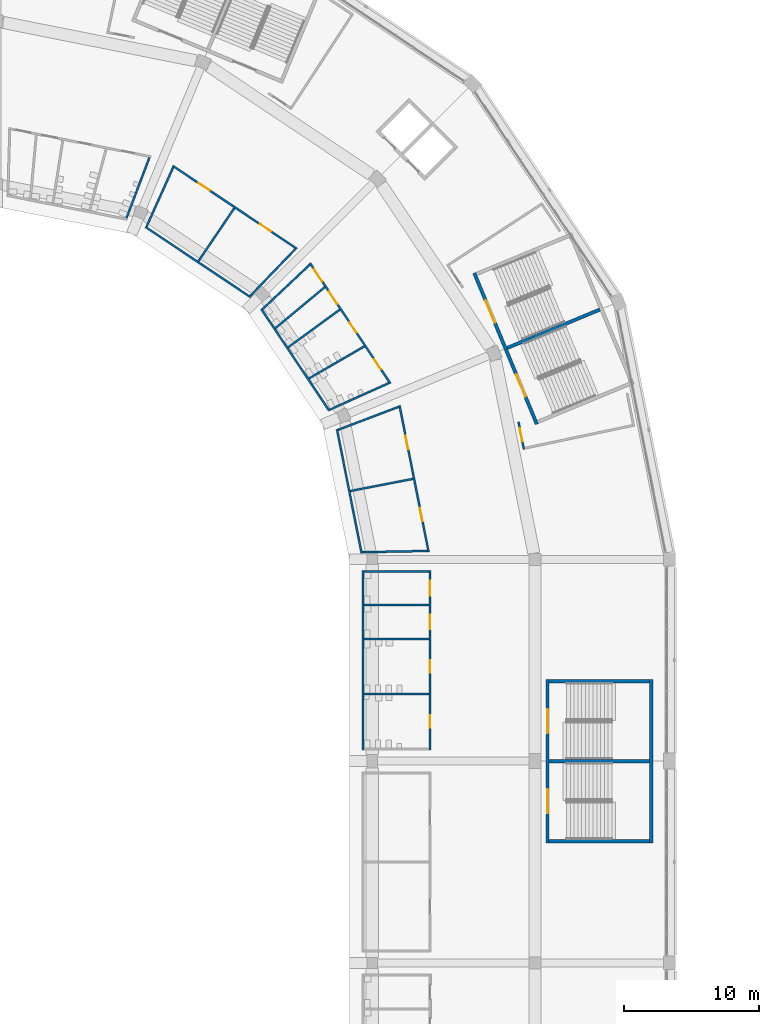
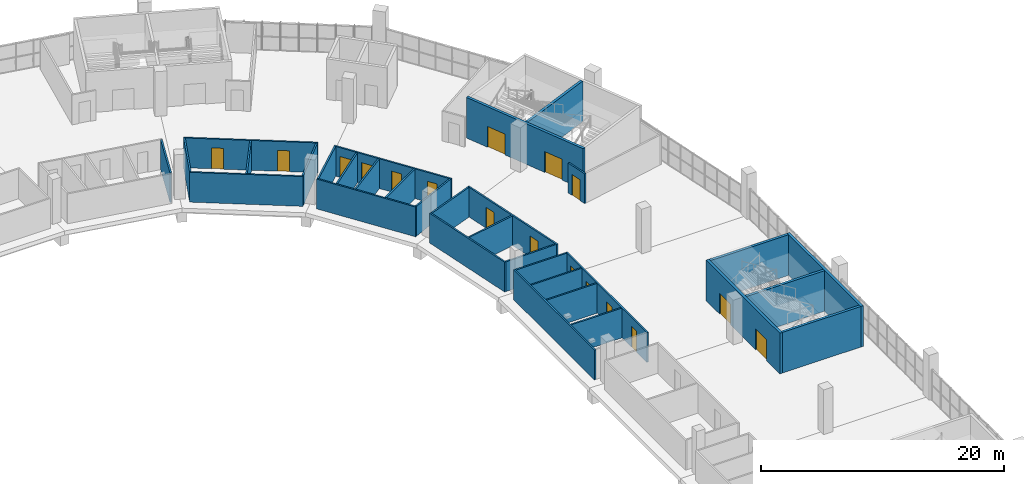
# One storey, part 89 of 199: 32 walls, 17 doors, 17 openings.
"""IFC4 building model written with IfcOpenShell, lengths in metres."""

from ifc_helpers import new_model, si_unit, direction, frame, frame_2d, origin, place, context, subcontext, project, spatial, rectangle, extrude, material, layer, layer_set, type_object, element, fill, save


model = new_model("IFC4")

# Units and contexts
model_context = context("Model", 3, precision=1e-05, world=origin(), true_north=direction((0.0, 1.0)))
body_context = subcontext(model_context, "Body", "Model", "MODEL_VIEW")
ifc_project = project(units=[si_unit("LENGTHUNIT", "METRE"), si_unit("AREAUNIT", "SQUARE_METRE"), si_unit("VOLUMEUNIT", "CUBIC_METRE"), si_unit("PLANEANGLEUNIT", "RADIAN"), si_unit("MASSUNIT", "GRAM", prefix="KILO")], contexts=[model_context])

# Site, building, storey
site_placement = place(None, origin())
site = spatial("IfcSite", under=ifc_project, at=site_placement, CompositionType="ELEMENT")
building_placement = place(site_placement, origin())
building = spatial("IfcBuilding", under=site, at=building_placement, Name="Ogive Plaza Stadium", CompositionType="ELEMENT")
storey_placement = place(building_placement, frame((0.0, 0.0, 4.5)))
storey = spatial("IfcBuildingStorey", under=building, at=storey_placement, Name="L01", CompositionType="ELEMENT", Elevation=4.5)

# Wall
ifc_material_1 = material(Name="Masonry blockwork", Category="masonry")
ifc_layer_1 = layer(ifc_material_1, 0.14990234375)
ifc_layer_set_1 = layer_set([ifc_layer_1], Name="Blockwork wall 150")
wall_type_1 = type_object("IfcWallType", Name="Blockwork wall 150", PredefinedType="SOLIDWALL", material=ifc_layer_set_1)
wall_1_placement = place(storey_placement, frame((45.037109375, 77.209716796875, 0.0), z_axis=(0.0, 0.0, 1.0), x_axis=(0.83146970134, -0.555570099766, 0.0)))
element("IfcWall", 1, at=wall_1_placement, inside=storey, type_object=wall_type_1, Name="Wall L01 B38", PredefinedType="SOLIDWALL", context=body_context, shape_type="SweptSolid", body=[
    extrude(rectangle(XDim=9.3876953125, YDim=0.14990234375, at=frame_2d((4.69384765625, 0.0))), origin(), (0.0, 0.0, 1.0), 3.0),
])

# Wall, openings, doors
wall_2_placement = place(storey_placement, frame((47.066162109375, 81.751953125, 0.0), z_axis=(0.0, 0.0, 1.0), x_axis=(0.83146852918, -0.555571854024, 0.0)))
wall_2 = element("IfcWall", 2, at=wall_2_placement, inside=storey, type_object=wall_type_1, Name="Wall L01 B38", PredefinedType="SOLIDWALL", context=body_context, shape_type="SweptSolid", body=[
    extrude(rectangle(XDim=11.113525390625, YDim=0.14990234375, at=frame_2d((5.556640625, 0.0))), origin(), (0.0, 0.0, 1.0), 3.0),
])
opening_1_placement = place(wall_2_placement, frame((2.319091796875, 0.0, 0.0)))
opening_1 = element("IfcOpeningElement", 3, at=opening_1_placement, cuts=wall_2, Name="Opening D0594", PredefinedType="OPENING", context=body_context, shape_type="SweptSolid", body=[
    extrude(rectangle(XDim=1.0, YDim=2.10009765625, at=frame_2d((0.5, 1.050048828125))), frame((0.0, 0.074951171875, 0.0), z_axis=(0.0, -1.0, 0.0), x_axis=(1.0, 0.0, 0.0)), (0.0, 0.0, 1.0), 0.14990234375),
])
opening_2_placement = place(wall_2_placement, frame((7.79443359375, 0.0, 0.0)))
opening_2 = element("IfcOpeningElement", 4, at=opening_2_placement, cuts=wall_2, Name="Opening D0595", PredefinedType="OPENING", context=body_context, shape_type="SweptSolid", body=[
    extrude(rectangle(XDim=1.0, YDim=2.10009765625, at=frame_2d((0.5, 1.050048828125))), frame((0.0, 0.074951171875, 0.0), z_axis=(0.0, -1.0, 0.0), x_axis=(1.0, 0.0, 0.0)), (0.0, 0.0, 1.0), 0.14990234375),
])
ifc_material_2 = material(Name="Steel ASTM A572 Grade 50", Category="steel")
door_type_1 = type_object("IfcDoorType", Name="Door 1000 x 2100", OperationType="SINGLE_SWING_LEFT", PredefinedType="DOOR", material=ifc_material_2)
door_1_placement = place(opening_1_placement, origin())
door_1 = element("IfcDoor", 5, at=door_1_placement, inside=storey, type_object=door_type_1, Name="Club Bar B38 door", OperationType="SINGLE_SWING_LEFT", OverallHeight=2.10009765625, OverallWidth=1.0, PredefinedType="DOOR", context=body_context, shape_type="SweptSolid", body=[
    extrude(rectangle(XDim=1.0, YDim=2.10009765625, at=frame_2d((0.5, 1.050048828125))), frame((0.0, 0.02490234375, 0.0), z_axis=(0.0, -1.0, 0.0), x_axis=(1.0, 0.0, 0.0)), (0.0, 0.0, 1.0), 0.050048828125),
])
fill(opening_1, door_1)
ifc_material_3 = material(Name="Steel ASTM A572 Grade 50", Category="steel")
door_type_2 = type_object("IfcDoorType", Name="Fire door FD60 1000 x 2100", OperationType="SINGLE_SWING_LEFT", PredefinedType="DOOR", material=ifc_material_3)
door_2_placement = place(opening_2_placement, origin())
door_2 = element("IfcDoor", 6, at=door_2_placement, inside=storey, type_object=door_type_2, Name="Club Kitchen B38 door", OperationType="SINGLE_SWING_RIGHT", OverallHeight=2.10009765625, OverallWidth=1.0, PredefinedType="DOOR", context=body_context, shape_type="SweptSolid", body=[
    extrude(rectangle(XDim=1.0, YDim=2.10009765625, at=frame_2d((0.5, 1.050048828125))), frame((0.0, 0.02490234375, 0.0), z_axis=(0.0, -1.0, 0.0), x_axis=(1.0, 0.0, 0.0)), (0.0, 0.0, 1.0), 0.050048828125),
])
fill(opening_2, door_2)

# Walls
wall_3_placement = place(storey_placement, frame((45.125, 77.23974609375, 0.0), z_axis=(0.0, 0.0, 1.0), x_axis=(0.410107887306, 0.912037017215, 0.0)))
element("IfcWall", 7, at=wall_3_placement, inside=storey, type_object=wall_type_1, Name="Wall L01 B38", PredefinedType="SOLIDWALL", context=body_context, shape_type="SweptSolid", body=[
    extrude(rectangle(XDim=4.8232421875, YDim=0.14990234375, at=frame_2d((2.41162109375, 0.0))), origin(), (0.0, 0.0, 1.0), 3.0),
])
wall_4_placement = place(storey_placement, frame((48.981201171875, 74.662841796875, 0.0), z_axis=(0.0, 0.0, 1.0), x_axis=(0.559983112244, 0.828504021717, 0.0)))
element("IfcWall", 8, at=wall_4_placement, inside=storey, type_object=wall_type_1, Name="Wall L01 B38", PredefinedType="SOLIDWALL", context=body_context, shape_type="SweptSolid", body=[
    extrude(rectangle(XDim=4.757080078125, YDim=0.14990234375, at=frame_2d((2.37841796875, 0.0))), origin(), (0.0, 0.0, 1.0), 3.0),
])
wall_5_placement = place(storey_placement, frame((52.83740234375, 72.086181640625, 0.0), z_axis=(0.0, 0.0, 1.0), x_axis=(0.693179391143, 0.720765101607, 0.0)))
element("IfcWall", 9, at=wall_5_placement, inside=storey, type_object=wall_type_1, Name="Wall L01 B38", PredefinedType="SOLIDWALL", context=body_context, shape_type="SweptSolid", body=[
    extrude(rectangle(XDim=4.832275390625, YDim=0.14990234375, at=frame_2d((2.416015625, 0.0))), origin(), (0.0, 0.0, 1.0), 3.0),
])
wall_6_placement = place(storey_placement, frame((59.27685546875, 62.16796875, 0.0), z_axis=(0.0, 0.0, 1.0), x_axis=(0.195100776204, -0.980783200878, 0.0)))
element("IfcWall", 10, at=wall_6_placement, inside=storey, type_object=wall_type_1, Name="Wall L01 B40", PredefinedType="SOLIDWALL", context=body_context, shape_type="SweptSolid", body=[
    extrude(rectangle(XDim=9.3876953125, YDim=0.14990234375, at=frame_2d((4.69384765625, 0.0))), origin(), (0.0, 0.0, 1.0), 3.0),
])

# Wall, openings, doors
wall_7_placement = place(storey_placement, frame((63.92333984375, 63.945068359375, 0.0), z_axis=(0.0, 0.0, 1.0), x_axis=(0.195102100298, -0.980782937484, 0.0)))
wall_7 = element("IfcWall", 11, at=wall_7_placement, inside=storey, type_object=wall_type_1, Name="Wall L01 B40", PredefinedType="SOLIDWALL", context=body_context, shape_type="SweptSolid", body=[
    extrude(rectangle(XDim=11.11328125, YDim=0.14990234375, at=frame_2d((5.556640625, 0.0))), origin(), (0.0, 0.0, 1.0), 3.0),
])
opening_3_placement = place(wall_7_placement, frame((2.319091796875, 0.0, 0.0)))
opening_3 = element("IfcOpeningElement", 12, at=opening_3_placement, cuts=wall_7, Name="Opening D0602", PredefinedType="OPENING", context=body_context, shape_type="SweptSolid", body=[
    extrude(rectangle(XDim=1.0, YDim=2.10009765625, at=frame_2d((0.5, 1.050048828125))), frame((0.0, 0.074951171875, 0.0), z_axis=(0.0, -1.0, 0.0), x_axis=(1.0, 0.0, 0.0)), (0.0, 0.0, 1.0), 0.14990234375),
])
opening_4_placement = place(wall_7_placement, frame((7.79443359375, 0.0, 0.0)))
opening_4 = element("IfcOpeningElement", 13, at=opening_4_placement, cuts=wall_7, Name="Opening D0603", PredefinedType="OPENING", context=body_context, shape_type="SweptSolid", body=[
    extrude(rectangle(XDim=1.0, YDim=2.10009765625, at=frame_2d((0.5, 1.050048828125))), frame((0.0, 0.074951171875, 0.0), z_axis=(0.0, -1.0, 0.0), x_axis=(1.0, 0.0, 0.0)), (0.0, 0.0, 1.0), 0.14990234375),
])
door_3_placement = place(opening_3_placement, origin())
door_3 = element("IfcDoor", 14, at=door_3_placement, inside=storey, type_object=door_type_1, Name="Club Bar B40 door", OperationType="SINGLE_SWING_LEFT", OverallHeight=2.10009765625, OverallWidth=1.0, PredefinedType="DOOR", context=body_context, shape_type="SweptSolid", body=[
    extrude(rectangle(XDim=1.0, YDim=2.10009765625, at=frame_2d((0.5, 1.050048828125))), frame((0.0, 0.02490234375, 0.0), z_axis=(0.0, -1.0, 0.0), x_axis=(1.0, 0.0, 0.0)), (0.0, 0.0, 1.0), 0.050048828125),
])
fill(opening_3, door_3)
door_4_placement = place(opening_4_placement, origin())
door_4 = element("IfcDoor", 15, at=door_4_placement, inside=storey, type_object=door_type_2, Name="Club Kitchen B40 door", OperationType="SINGLE_SWING_RIGHT", OverallHeight=2.10009765625, OverallWidth=1.0, PredefinedType="DOOR", context=body_context, shape_type="SweptSolid", body=[
    extrude(rectangle(XDim=1.0, YDim=2.10009765625, at=frame_2d((0.5, 1.050048828125))), frame((0.0, 0.02490234375, 0.0), z_axis=(0.0, -1.0, 0.0), x_axis=(1.0, 0.0, 0.0)), (0.0, 0.0, 1.0), 0.050048828125),
])
fill(opening_4, door_4)

# Walls
wall_8_placement = place(storey_placement, frame((59.360107421875, 62.126953125, 0.0), z_axis=(0.0, 0.0, 1.0), x_axis=(0.934900839957, 0.354909029819, 0.0)))
element("IfcWall", 16, at=wall_8_placement, inside=storey, type_object=wall_type_1, Name="Wall L01 B40", PredefinedType="SOLIDWALL", context=body_context, shape_type="SweptSolid", body=[
    extrude(rectangle(XDim=4.823486328125, YDim=0.14990234375, at=frame_2d((2.41162109375, 0.0))), origin(), (0.0, 0.0, 1.0), 3.0),
])
wall_9_placement = place(storey_placement, frame((60.264892578125, 57.578369140625, 0.0), z_axis=(0.0, 0.0, 1.0), x_axis=(0.981823683867, 0.189795294456, 0.0)))
element("IfcWall", 17, at=wall_9_placement, inside=storey, type_object=wall_type_1, Name="Wall L01 B40", PredefinedType="SOLIDWALL", context=body_context, shape_type="SweptSolid", body=[
    extrude(rectangle(XDim=4.7568359375, YDim=0.14990234375, at=frame_2d((2.37841796875, 0.0))), origin(), (0.0, 0.0, 1.0), 3.0),
])
wall_10_placement = place(storey_placement, frame((61.169677734375, 53.029541015625, 0.0), z_axis=(0.0, 0.0, 1.0), x_axis=(0.999810800275, 0.01945157199, 0.0)))
element("IfcWall", 18, at=wall_10_placement, inside=storey, type_object=wall_type_1, Name="Wall L01 B40", PredefinedType="SOLIDWALL", context=body_context, shape_type="SweptSolid", body=[
    extrude(rectangle(XDim=4.832275390625, YDim=0.14990234375, at=frame_2d((2.416015625, 0.0))), origin(), (0.0, 0.0, 1.0), 3.0),
])

# Wall, opening, door
wall_11_placement = place(storey_placement, frame((72.767578125, 62.71728515625, 0.0), z_axis=(0.0, 0.0, 1.0), x_axis=(0.195168143279, -0.980769797582, 0.0)))
wall_11 = element("IfcWall", 19, at=wall_11_placement, inside=storey, type_object=wall_type_1, Name="Wall L01 B40", PredefinedType="SOLIDWALL", context=body_context, shape_type="SweptSolid", body=[
    extrude(rectangle(XDim=2.080322265625, YDim=0.14990234375, at=frame_2d((1.0400390625, 0.0))), origin(), (0.0, 0.0, 1.0), 3.0),
])
opening_5_placement = place(wall_11_placement, frame((0.47216796875, 0.0, 0.0)))
opening_5 = element("IfcOpeningElement", 20, at=opening_5_placement, cuts=wall_11, Name="Opening D0604", PredefinedType="OPENING", context=body_context, shape_type="SweptSolid", body=[
    extrude(rectangle(XDim=1.0, YDim=2.10009765625, at=frame_2d((0.5, 1.050048828125))), frame((0.0, 0.074951171875, 0.0), z_axis=(0.0, -1.0, 0.0), x_axis=(1.0, 0.0, 0.0)), (0.0, 0.0, 1.0), 0.14990234375),
])
door_5_placement = place(opening_5_placement, origin())
door_5 = element("IfcDoor", 21, at=door_5_placement, inside=storey, type_object=door_type_2, Name="Cleaner's Store B40 door", OperationType="SINGLE_SWING_RIGHT", OverallHeight=2.10009765625, OverallWidth=1.0, PredefinedType="DOOR", context=body_context, shape_type="SweptSolid", body=[
    extrude(rectangle(XDim=1.0, YDim=2.10009765625, at=frame_2d((0.5, 1.050048828125))), frame((0.0, 0.02490234375, 0.0), z_axis=(0.0, -1.0, 0.0), x_axis=(1.0, 0.0, 0.0)), (0.0, 0.0, 1.0), 0.050048828125),
])
fill(opening_5, door_5)

# Wall, openings, doors
ifc_material_4 = material(Name="Concrete C40/50", Category="concrete")
ifc_layer_2 = layer(ifc_material_4, 0.25)
ifc_layer_set_2 = layer_set([ifc_layer_2], Name="Concrete C40/50")
wall_type_2 = type_object("IfcWallType", Name="Core wall 250", PredefinedType="SHEAR", material=ifc_layer_set_2)
wall_12_placement = place(storey_placement, frame((74.925048828125, 31.425048828125, 0.0), z_axis=(0.0, 0.0, 1.0), x_axis=(0.0, 1.0, 0.0)))
wall_12 = element("IfcWall", 22, at=wall_12_placement, inside=storey, type_object=wall_type_2, Name="Stair core R02 inner wall", PredefinedType="SHEAR", context=body_context, shape_type="SweptSolid", body=[
    extrude(rectangle(XDim=12.14990234375, YDim=0.25, at=frame_2d((6.074951171875, 0.0))), origin(), (0.0, 0.0, 1.0), 4.090087890625),
])
opening_6_placement = place(wall_12_placement, frame((2.199951171875, 0.0, 0.0)))
opening_6 = element("IfcOpeningElement", 23, at=opening_6_placement, cuts=wall_12, Name="Opening D0045", PredefinedType="OPENING", context=body_context, shape_type="SweptSolid", body=[
    extrude(rectangle(XDim=1.800048828125, YDim=2.10009765625, at=frame_2d((0.89990234375, 1.050048828125))), frame((0.0, 0.125, 0.0), z_axis=(0.0, -1.0, 0.0), x_axis=(1.0, 0.0, 0.0)), (0.0, 0.0, 1.0), 0.25),
])
opening_7_placement = place(wall_12_placement, frame((8.14990234375, 0.0, 0.0)))
opening_7 = element("IfcOpeningElement", 24, at=opening_7_placement, cuts=wall_12, Name="Opening D0046", PredefinedType="OPENING", context=body_context, shape_type="SweptSolid", body=[
    extrude(rectangle(XDim=1.800048828125, YDim=2.10009765625, at=frame_2d((0.89990234375, 1.050048828125))), frame((0.0, 0.125, 0.0), z_axis=(0.0, -1.0, 0.0), x_axis=(1.0, 0.0, 0.0)), (0.0, 0.0, 1.0), 0.25),
])
ifc_material_5 = material(Name="Steel ASTM A572 Grade 50", Category="steel")
door_type_3 = type_object("IfcDoorType", Name="Fire door FD90 pair 1800 x 2100", OperationType="DOUBLE_DOOR_SINGLE_SWING", PredefinedType="DOOR", material=ifc_material_5)
door_6_placement = place(opening_6_placement, origin())
door_6 = element("IfcDoor", 25, at=door_6_placement, inside=storey, type_object=door_type_3, Name="Exit stair R02A door L01", OperationType="DOUBLE_DOOR_SINGLE_SWING", OverallHeight=2.10009765625, OverallWidth=1.800048828125, PredefinedType="DOOR", context=body_context, shape_type="SweptSolid", body=[
    extrude(rectangle(XDim=1.800048828125, YDim=2.10009765625, at=frame_2d((0.89990234375, 1.050048828125))), frame((0.0, 0.02490234375, 0.0), z_axis=(0.0, -1.0, 0.0), x_axis=(1.0, 0.0, 0.0)), (0.0, 0.0, 1.0), 0.050048828125),
])
fill(opening_6, door_6)
door_7_placement = place(opening_7_placement, origin())
door_7 = element("IfcDoor", 26, at=door_7_placement, inside=storey, type_object=door_type_3, Name="Exit stair R02B door L01", OperationType="DOUBLE_DOOR_SINGLE_SWING", OverallHeight=2.10009765625, OverallWidth=1.800048828125, PredefinedType="DOOR", context=body_context, shape_type="SweptSolid", body=[
    extrude(rectangle(XDim=1.800048828125, YDim=2.10009765625, at=frame_2d((0.89990234375, 1.050048828125))), frame((0.0, 0.02490234375, 0.0), z_axis=(0.0, -1.0, 0.0), x_axis=(1.0, 0.0, 0.0)), (0.0, 0.0, 1.0), 0.050048828125),
])
fill(opening_7, door_7)

# Walls
wall_13_placement = place(storey_placement, frame((82.635009765625, 31.425048828125, 0.0), z_axis=(0.0, 0.0, 1.0), x_axis=(0.0, 1.0, 0.0)))
element("IfcWall", 27, at=wall_13_placement, inside=storey, type_object=wall_type_2, Name="Stair core R02 outer wall", PredefinedType="SHEAR", context=body_context, shape_type="SweptSolid", body=[
    extrude(rectangle(XDim=12.14990234375, YDim=0.25, at=frame_2d((6.074951171875, 0.0))), origin(), (0.0, 0.0, 1.0), 4.090087890625),
])
for number, where, z_axis, x_axis, name in (
    (28, (75.050048828125, 31.550048828125, 0.0), (0.0, 0.0, 1.0), (1.0, 0.0, 0.0), "Stair core R02 side wall"),
    (29, (75.050048828125, 43.449951171875, 0.0), (0.0, 0.0, 1.0), (1.0, 0.0, 0.0), "Stair core R02 side wall"),
    (30, (75.050048828125, 37.5, 0.0), (0.0, 0.0, 1.0), (1.0, 0.0, 0.0), "Stair core R02 centre wall"),
):
    element("IfcWall", number, at=place(storey_placement, frame(where, z_axis=z_axis, x_axis=x_axis)), inside=storey, type_object=wall_type_2, Name=name, PredefinedType="SHEAR", context=body_context, shape_type="SweptSolid", body=[
        extrude(rectangle(XDim=7.4599609375, YDim=0.25, at=frame_2d((3.72998046875, 0.0))), origin(), (0.0, 0.0, 1.0), 4.090087890625),
    ])

# Wall, openings, doors
wall_14_placement = place(storey_placement, frame((74.134521484375, 62.548828125, 0.0), z_axis=(0.0, 0.0, 1.0), x_axis=(-0.382688386133, 0.923877480578, 0.0)))
wall_14 = element("IfcWall", 31, at=wall_14_placement, inside=storey, type_object=wall_type_2, Name="Stair core R40 inner wall", PredefinedType="SHEAR", context=body_context, shape_type="SweptSolid", body=[
    extrude(rectangle(XDim=12.14990234375, YDim=0.25, at=frame_2d((6.074951171875, 0.0))), origin(), (0.0, 0.0, 1.0), 4.090087890625),
])
opening_8_placement = place(wall_14_placement, frame((2.199951171875, 0.0, 0.0)))
opening_8 = element("IfcOpeningElement", 32, at=opening_8_placement, cuts=wall_14, Name="Opening D0287", PredefinedType="OPENING", context=body_context, shape_type="SweptSolid", body=[
    extrude(rectangle(XDim=1.800048828125, YDim=2.10009765625, at=frame_2d((0.89990234375, 1.050048828125))), frame((0.0, 0.125, 0.0), z_axis=(0.0, -1.0, 0.0), x_axis=(1.0, 0.0, 0.0)), (0.0, 0.0, 1.0), 0.25),
])
opening_9_placement = place(wall_14_placement, frame((8.14990234375, 0.0, 0.0)))
opening_9 = element("IfcOpeningElement", 33, at=opening_9_placement, cuts=wall_14, Name="Opening D0288", PredefinedType="OPENING", context=body_context, shape_type="SweptSolid", body=[
    extrude(rectangle(XDim=1.800048828125, YDim=2.10009765625, at=frame_2d((0.89990234375, 1.050048828125))), frame((0.0, 0.125, 0.0), z_axis=(0.0, -1.0, 0.0), x_axis=(1.0, 0.0, 0.0)), (0.0, 0.0, 1.0), 0.25),
])
door_8_placement = place(opening_8_placement, origin())
door_8 = element("IfcDoor", 34, at=door_8_placement, inside=storey, type_object=door_type_3, Name="Exit stair R40A door L01", OperationType="DOUBLE_DOOR_SINGLE_SWING", OverallHeight=2.10009765625, OverallWidth=1.800048828125, PredefinedType="DOOR", context=body_context, shape_type="SweptSolid", body=[
    extrude(rectangle(XDim=1.800048828125, YDim=2.10009765625, at=frame_2d((0.89990234375, 1.050048828125))), frame((0.0, 0.02490234375, 0.0), z_axis=(0.0, -1.0, 0.0), x_axis=(1.0, 0.0, 0.0)), (0.0, 0.0, 1.0), 0.050048828125),
])
fill(opening_8, door_8)
door_9_placement = place(opening_9_placement, origin())
door_9 = element("IfcDoor", 35, at=door_9_placement, inside=storey, type_object=door_type_3, Name="Exit stair R40B door L01", OperationType="DOUBLE_DOOR_SINGLE_SWING", OverallHeight=2.10009765625, OverallWidth=1.800048828125, PredefinedType="DOOR", context=body_context, shape_type="SweptSolid", body=[
    extrude(rectangle(XDim=1.800048828125, YDim=2.10009765625, at=frame_2d((0.89990234375, 1.050048828125))), frame((0.0, 0.02490234375, 0.0), z_axis=(0.0, -1.0, 0.0), x_axis=(1.0, 0.0, 0.0)), (0.0, 0.0, 1.0), 0.050048828125),
])
fill(opening_9, door_9)

# Walls
wall_15_placement = place(storey_placement, frame((71.92529296875, 68.209228515625, 0.0), z_axis=(0.0, 0.0, 1.0), x_axis=(0.923882412044, 0.382676480483, 0.0)))
element("IfcWall", 36, at=wall_15_placement, inside=storey, type_object=wall_type_2, Name="Stair core R40 centre wall", PredefinedType="SHEAR", context=body_context, shape_type="SweptSolid", body=[
    extrude(rectangle(XDim=7.4599609375, YDim=0.25, at=frame_2d((3.72998046875, 0.0))), origin(), (0.0, 0.0, 1.0), 4.090087890625),
])
ifc_material_6 = material(Name="Gypsum board partition", Category="gypsum")
ifc_layer_3 = layer(ifc_material_6, 0.14990234375)
ifc_layer_set_3 = layer_set([ifc_layer_3], Name="Partition 150")
wall_type_3 = type_object("IfcWallType", Name="Partition 150", PredefinedType="PARTITIONING", material=ifc_layer_set_3)
wall_16_placement = place(storey_placement, frame((61.199951171875, 38.324951171875, 0.0), z_axis=(0.0, 0.0, 1.0), x_axis=(0.0, 1.0, 0.0)))
element("IfcWall", 37, at=wall_16_placement, inside=storey, type_object=wall_type_3, Name="Wall L01 B01", PredefinedType="PARTITIONING", context=body_context, shape_type="SweptSolid", body=[
    extrude(rectangle(XDim=13.35009765625, YDim=0.14990234375, at=frame_2d((6.675048828125, 0.0))), origin(), (0.0, 0.0, 1.0), 3.0),
])

# Wall, openings, doors
wall_17_placement = place(storey_placement, frame((66.199951171875, 38.324951171875, 0.0), z_axis=(0.0, 0.0, 1.0), x_axis=(0.0, 1.0, 0.0)))
wall_17 = element("IfcWall", 38, at=wall_17_placement, inside=storey, type_object=wall_type_3, Name="Wall L01 B01", PredefinedType="PARTITIONING", context=body_context, shape_type="SweptSolid", body=[
    extrude(rectangle(XDim=13.35009765625, YDim=0.14990234375, at=frame_2d((6.675048828125, 0.0))), origin(), (0.0, 0.0, 1.0), 3.0),
])
opening_10_placement = place(wall_17_placement, frame((1.6708984375, 0.0, 0.0)))
opening_10 = element("IfcOpeningElement", 39, at=opening_10_placement, cuts=wall_17, Name="Opening D0469", PredefinedType="OPENING", context=body_context, shape_type="SweptSolid", body=[
    extrude(rectangle(XDim=0.89990234375, YDim=2.10009765625, at=frame_2d((0.449951171875, 1.050048828125))), frame((0.0, 0.074951171875, 0.0), z_axis=(0.0, -1.0, 0.0), x_axis=(1.0, 0.0, 0.0)), (0.0, 0.0, 1.0), 0.14990234375),
])
opening_11_placement = place(wall_17_placement, frame((5.762939453125, 0.0, 0.0)))
opening_11 = element("IfcOpeningElement", 40, at=opening_11_placement, cuts=wall_17, Name="Opening D0470", PredefinedType="OPENING", context=body_context, shape_type="SweptSolid", body=[
    extrude(rectangle(XDim=0.89990234375, YDim=2.10009765625, at=frame_2d((0.449951171875, 1.050048828125))), frame((0.0, 0.074951171875, 0.0), z_axis=(0.0, -1.0, 0.0), x_axis=(1.0, 0.0, 0.0)), (0.0, 0.0, 1.0), 0.14990234375),
])
opening_12_placement = place(wall_17_placement, frame((8.962890625, 0.0, 0.0)))
opening_12 = element("IfcOpeningElement", 41, at=opening_12_placement, cuts=wall_17, Name="Opening D0471", PredefinedType="OPENING", context=body_context, shape_type="SweptSolid", body=[
    extrude(rectangle(XDim=1.10009765625, YDim=2.10009765625, at=frame_2d((0.550048828125, 1.050048828125))), frame((0.0, 0.074951171875, 0.0), z_axis=(0.0, -1.0, 0.0), x_axis=(1.0, 0.0, 0.0)), (0.0, 0.0, 1.0), 0.14990234375),
])
opening_13_placement = place(wall_17_placement, frame((11.470947265625, 0.0, 0.0)))
opening_13 = element("IfcOpeningElement", 42, at=opening_13_placement, cuts=wall_17, Name="Opening D0472", PredefinedType="OPENING", context=body_context, shape_type="SweptSolid", body=[
    extrude(rectangle(XDim=1.10009765625, YDim=2.10009765625, at=frame_2d((0.550048828125, 1.050048828125))), frame((0.0, 0.074951171875, 0.0), z_axis=(0.0, -1.0, 0.0), x_axis=(1.0, 0.0, 0.0)), (0.0, 0.0, 1.0), 0.14990234375),
])
ifc_material_7 = material(Name="Steel ASTM A572 Grade 50", Category="steel")
door_type_4 = type_object("IfcDoorType", Name="Accessible door 1100 x 2100", OperationType="SINGLE_SWING_LEFT", PredefinedType="DOOR", material=ifc_material_7)
door_10_placement = place(opening_12_placement, origin())
door_10 = element("IfcDoor", 43, at=door_10_placement, inside=storey, type_object=door_type_4, Name="Accessible WC B01 door", OperationType="SINGLE_SWING_LEFT", OverallHeight=2.10009765625, OverallWidth=1.10009765625, PredefinedType="DOOR", context=body_context, shape_type="SweptSolid", body=[
    extrude(rectangle(XDim=1.10009765625, YDim=2.10009765625, at=frame_2d((0.550048828125, 1.050048828125))), frame((0.0, 0.02490234375, 0.0), z_axis=(0.0, -1.0, 0.0), x_axis=(1.0, 0.0, 0.0)), (0.0, 0.0, 1.0), 0.050048828125),
])
fill(opening_12, door_10)
door_11_placement = place(opening_13_placement, origin())
door_11 = element("IfcDoor", 44, at=door_11_placement, inside=storey, type_object=door_type_4, Name="Family WC B01 door", OperationType="SINGLE_SWING_RIGHT", OverallHeight=2.10009765625, OverallWidth=1.10009765625, PredefinedType="DOOR", context=body_context, shape_type="SweptSolid", body=[
    extrude(rectangle(XDim=1.10009765625, YDim=2.10009765625, at=frame_2d((0.550048828125, 1.050048828125))), frame((0.0, 0.02490234375, 0.0), z_axis=(0.0, -1.0, 0.0), x_axis=(1.0, 0.0, 0.0)), (0.0, 0.0, 1.0), 0.050048828125),
])
fill(opening_13, door_11)
ifc_material_8 = material(Name="Steel ASTM A572 Grade 50", Category="steel")
door_type_5 = type_object("IfcDoorType", Name="Door 900 x 2100", OperationType="SINGLE_SWING_LEFT", PredefinedType="DOOR", material=ifc_material_8)
door_12_placement = place(opening_10_placement, origin())
door_12 = element("IfcDoor", 45, at=door_12_placement, inside=storey, type_object=door_type_5, Name="Men's Toilet B01 door", OperationType="SINGLE_SWING_LEFT", OverallHeight=2.10009765625, OverallWidth=0.89990234375, PredefinedType="DOOR", context=body_context, shape_type="SweptSolid", body=[
    extrude(rectangle(XDim=0.89990234375, YDim=2.10009765625, at=frame_2d((0.449951171875, 1.050048828125))), frame((0.0, 0.02490234375, 0.0), z_axis=(0.0, -1.0, 0.0), x_axis=(1.0, 0.0, 0.0)), (0.0, 0.0, 1.0), 0.050048828125),
])
fill(opening_10, door_12)
door_13_placement = place(opening_11_placement, origin())
door_13 = element("IfcDoor", 46, at=door_13_placement, inside=storey, type_object=door_type_5, Name="Women's Toilet B01 door", OperationType="SINGLE_SWING_RIGHT", OverallHeight=2.10009765625, OverallWidth=0.89990234375, PredefinedType="DOOR", context=body_context, shape_type="SweptSolid", body=[
    extrude(rectangle(XDim=0.89990234375, YDim=2.10009765625, at=frame_2d((0.449951171875, 1.050048828125))), frame((0.0, 0.02490234375, 0.0), z_axis=(0.0, -1.0, 0.0), x_axis=(1.0, 0.0, 0.0)), (0.0, 0.0, 1.0), 0.050048828125),
])
fill(opening_11, door_13)

# Walls
for number, where, z_axis, x_axis, name in (
    (47, (61.27490234375, 42.491943359375, 0.0), (0.0, 0.0, 1.0), (1.0, 0.0, 0.0), "Wall L01 B01"),
    (48, (61.27490234375, 46.583984375, 0.0), (0.0, 0.0, 1.0), (1.0, 0.0, 0.0), "Wall L01 B01"),
    (49, (61.27490234375, 49.092041015625, 0.0), (0.0, 0.0, 1.0), (1.0, 0.0, 0.0), "Wall L01 B01"),
    (50, (61.27490234375, 51.60009765625, 0.0), (0.0, 0.0, 1.0), (1.0, 0.0, 0.0), "Wall L01 B01"),
):
    element("IfcWall", number, at=place(storey_placement, frame(where, z_axis=z_axis, x_axis=x_axis)), inside=storey, type_object=wall_type_3, Name=name, PredefinedType="PARTITIONING", context=body_context, shape_type="SweptSolid", body=[
        extrude(rectangle(XDim=4.85009765625, YDim=0.14990234375, at=frame_2d((2.425048828125, 0.0))), origin(), (0.0, 0.0, 1.0), 3.0),
    ])
wall_18_placement = place(storey_placement, frame((43.626953125, 77.860107421875, 0.0), z_axis=(0.0, 0.0, 1.0), x_axis=(0.354909029819, 0.934900839957, 0.0)))
element("IfcWall", 51, at=wall_18_placement, inside=storey, type_object=wall_type_3, Name="Wall L01 B37", PredefinedType="PARTITIONING", context=body_context, shape_type="SweptSolid", body=[
    extrude(rectangle(XDim=4.823486328125, YDim=0.14990234375, at=frame_2d((2.41162109375, 0.0))), origin(), (0.0, 0.0, 1.0), 3.0),
])
wall_19_placement = place(storey_placement, frame((58.709716796875, 63.537109375, 0.0), z_axis=(0.0, 0.0, 1.0), x_axis=(-0.555566497886, 0.831472108027, 0.0)))
element("IfcWall", 52, at=wall_19_placement, inside=storey, type_object=wall_type_3, Name="Wall L01 B39", PredefinedType="PARTITIONING", context=body_context, shape_type="SweptSolid", body=[
    extrude(rectangle(XDim=9.101806640625, YDim=0.14990234375, at=frame_2d((4.55078125, 0.0))), origin(), (0.0, 0.0, 1.0), 3.0),
])

# Wall, openings, doors
wall_20_placement = place(storey_placement, frame((63.251953125, 65.566162109375, 0.0), z_axis=(0.0, 0.0, 1.0), x_axis=(-0.555562662276, 0.831474670862, 0.0)))
wall_20 = element("IfcWall", 53, at=wall_20_placement, inside=storey, type_object=wall_type_3, Name="Wall L01 B39", PredefinedType="PARTITIONING", context=body_context, shape_type="SweptSolid", body=[
    extrude(rectangle(XDim=10.77490234375, YDim=0.14990234375, at=frame_2d((5.387451171875, 0.0))), origin(), (0.0, 0.0, 1.0), 3.0),
])
opening_14_placement = place(wall_20_placement, frame((1.276123046875, 0.0, 0.0)))
opening_14 = element("IfcOpeningElement", 54, at=opening_14_placement, cuts=wall_20, Name="Opening D0597", PredefinedType="OPENING", context=body_context, shape_type="SweptSolid", body=[
    extrude(rectangle(XDim=0.89990234375, YDim=2.10009765625, at=frame_2d((0.449951171875, 1.050048828125))), frame((0.0, 0.074951171875, 0.0), z_axis=(0.0, -1.0, 0.0), x_axis=(1.0, 0.0, 0.0)), (0.0, 0.0, 1.0), 0.14990234375),
])
opening_15_placement = place(wall_20_placement, frame((4.56591796875, 0.0, 0.0)))
opening_15 = element("IfcOpeningElement", 55, at=opening_15_placement, cuts=wall_20, Name="Opening D0598", PredefinedType="OPENING", context=body_context, shape_type="SweptSolid", body=[
    extrude(rectangle(XDim=0.89990234375, YDim=2.10009765625, at=frame_2d((0.449951171875, 1.050048828125))), frame((0.0, 0.074951171875, 0.0), z_axis=(0.0, -1.0, 0.0), x_axis=(1.0, 0.0, 0.0)), (0.0, 0.0, 1.0), 0.14990234375),
])
opening_16_placement = place(wall_20_placement, frame((7.119140625, 0.0, 0.0)))
opening_16 = element("IfcOpeningElement", 56, at=opening_16_placement, cuts=wall_20, Name="Opening D0599", PredefinedType="OPENING", context=body_context, shape_type="SweptSolid", body=[
    extrude(rectangle(XDim=1.10009765625, YDim=2.10009765625, at=frame_2d((0.550048828125, 1.050048828125))), frame((0.0, 0.074951171875, 0.0), z_axis=(0.0, -1.0, 0.0), x_axis=(1.0, 0.0, 0.0)), (0.0, 0.0, 1.0), 0.14990234375),
])
opening_17_placement = place(wall_20_placement, frame((9.135498046875, 0.0, 0.0)))
opening_17 = element("IfcOpeningElement", 57, at=opening_17_placement, cuts=wall_20, Name="Opening D0600", PredefinedType="OPENING", context=body_context, shape_type="SweptSolid", body=[
    extrude(rectangle(XDim=1.10009765625, YDim=2.10009765625, at=frame_2d((0.550048828125, 1.050048828125))), frame((0.0, 0.074951171875, 0.0), z_axis=(0.0, -1.0, 0.0), x_axis=(1.0, 0.0, 0.0)), (0.0, 0.0, 1.0), 0.14990234375),
])
door_14_placement = place(opening_16_placement, origin())
door_14 = element("IfcDoor", 58, at=door_14_placement, inside=storey, type_object=door_type_4, Name="Accessible WC B39 door", OperationType="SINGLE_SWING_LEFT", OverallHeight=2.10009765625, OverallWidth=1.10009765625, PredefinedType="DOOR", context=body_context, shape_type="SweptSolid", body=[
    extrude(rectangle(XDim=1.10009765625, YDim=2.10009765625, at=frame_2d((0.550048828125, 1.050048828125))), frame((0.0, 0.02490234375, 0.0), z_axis=(0.0, -1.0, 0.0), x_axis=(1.0, 0.0, 0.0)), (0.0, 0.0, 1.0), 0.050048828125),
])
fill(opening_16, door_14)
door_15_placement = place(opening_17_placement, origin())
door_15 = element("IfcDoor", 59, at=door_15_placement, inside=storey, type_object=door_type_4, Name="Family WC B39 door", OperationType="SINGLE_SWING_LEFT", OverallHeight=2.10009765625, OverallWidth=1.10009765625, PredefinedType="DOOR", context=body_context, shape_type="SweptSolid", body=[
    extrude(rectangle(XDim=1.10009765625, YDim=2.10009765625, at=frame_2d((0.550048828125, 1.050048828125))), frame((0.0, 0.02490234375, 0.0), z_axis=(0.0, -1.0, 0.0), x_axis=(1.0, 0.0, 0.0)), (0.0, 0.0, 1.0), 0.050048828125),
])
fill(opening_17, door_15)
door_16_placement = place(opening_14_placement, origin())
door_16 = element("IfcDoor", 60, at=door_16_placement, inside=storey, type_object=door_type_5, Name="Men's Toilet B39 door", OperationType="SINGLE_SWING_RIGHT", OverallHeight=2.10009765625, OverallWidth=0.89990234375, PredefinedType="DOOR", context=body_context, shape_type="SweptSolid", body=[
    extrude(rectangle(XDim=0.89990234375, YDim=2.10009765625, at=frame_2d((0.449951171875, 1.050048828125))), frame((0.0, 0.02490234375, 0.0), z_axis=(0.0, -1.0, 0.0), x_axis=(1.0, 0.0, 0.0)), (0.0, 0.0, 1.0), 0.050048828125),
])
fill(opening_14, door_16)
door_17_placement = place(opening_15_placement, origin())
door_17 = element("IfcDoor", 61, at=door_17_placement, inside=storey, type_object=door_type_5, Name="Women's Toilet B39 door", OperationType="SINGLE_SWING_RIGHT", OverallHeight=2.10009765625, OverallWidth=0.89990234375, PredefinedType="DOOR", context=body_context, shape_type="SweptSolid", body=[
    extrude(rectangle(XDim=0.89990234375, YDim=2.10009765625, at=frame_2d((0.449951171875, 1.050048828125))), frame((0.0, 0.02490234375, 0.0), z_axis=(0.0, -1.0, 0.0), x_axis=(1.0, 0.0, 0.0)), (0.0, 0.0, 1.0), 0.050048828125),
])
fill(opening_15, door_17)

# Walls
wall_21_placement = place(storey_placement, frame((58.73974609375, 63.625, 0.0), z_axis=(0.0, 0.0, 1.0), x_axis=(0.912037017215, 0.410107887306, 0.0)))
element("IfcWall", 62, at=wall_21_placement, inside=storey, type_object=wall_type_3, Name="Wall L01 B39", PredefinedType="PARTITIONING", context=body_context, shape_type="SweptSolid", body=[
    extrude(rectangle(XDim=4.8232421875, YDim=0.14990234375, at=frame_2d((2.41162109375, 0.0))), origin(), (0.0, 0.0, 1.0), 3.0),
])
wall_22_placement = place(storey_placement, frame((57.19140625, 65.94189453125, 0.0), z_axis=(0.0, 0.0, 1.0), x_axis=(0.865194750368, 0.501435981891, 0.0)))
element("IfcWall", 63, at=wall_22_placement, inside=storey, type_object=wall_type_3, Name="Wall L01 B39", PredefinedType="PARTITIONING", context=body_context, shape_type="SweptSolid", body=[
    extrude(rectangle(XDim=4.7666015625, YDim=0.14990234375, at=frame_2d((2.38330078125, 0.0))), origin(), (0.0, 0.0, 1.0), 3.0),
])
wall_23_placement = place(storey_placement, frame((55.643310546875, 68.259033203125, 0.0), z_axis=(0.0, 0.0, 1.0), x_axis=(0.808436593482, 0.588583277302, 0.0)))
element("IfcWall", 64, at=wall_23_placement, inside=storey, type_object=wall_type_3, Name="Wall L01 B39", PredefinedType="PARTITIONING", context=body_context, shape_type="SweptSolid", body=[
    extrude(rectangle(XDim=4.760498046875, YDim=0.14990234375, at=frame_2d((2.38037109375, 0.0))), origin(), (0.0, 0.0, 1.0), 3.0),
])
wall_24_placement = place(storey_placement, frame((54.6943359375, 69.678955078125, 0.0), z_axis=(0.0, 0.0, 1.0), x_axis=(0.769445858721, 0.638712040358, 0.0)))
element("IfcWall", 65, at=wall_24_placement, inside=storey, type_object=wall_type_3, Name="Wall L01 B39", PredefinedType="PARTITIONING", context=body_context, shape_type="SweptSolid", body=[
    extrude(rectangle(XDim=4.782470703125, YDim=0.14990234375, at=frame_2d((2.39111328125, 0.0))), origin(), (0.0, 0.0, 1.0), 3.0),
])
wall_25_placement = place(storey_placement, frame((53.74560546875, 71.09912109375, 0.0), z_axis=(0.0, 0.0, 1.0), x_axis=(0.727898273696, 0.685685134118, 0.0)))
element("IfcWall", 66, at=wall_25_placement, inside=storey, type_object=wall_type_3, Name="Wall L01 B39", PredefinedType="PARTITIONING", context=body_context, shape_type="SweptSolid", body=[
    extrude(rectangle(XDim=4.823486328125, YDim=0.14990234375, at=frame_2d((2.41162109375, 0.0))), origin(), (0.0, 0.0, 1.0), 3.0),
])

save(model, "model.ifc")
